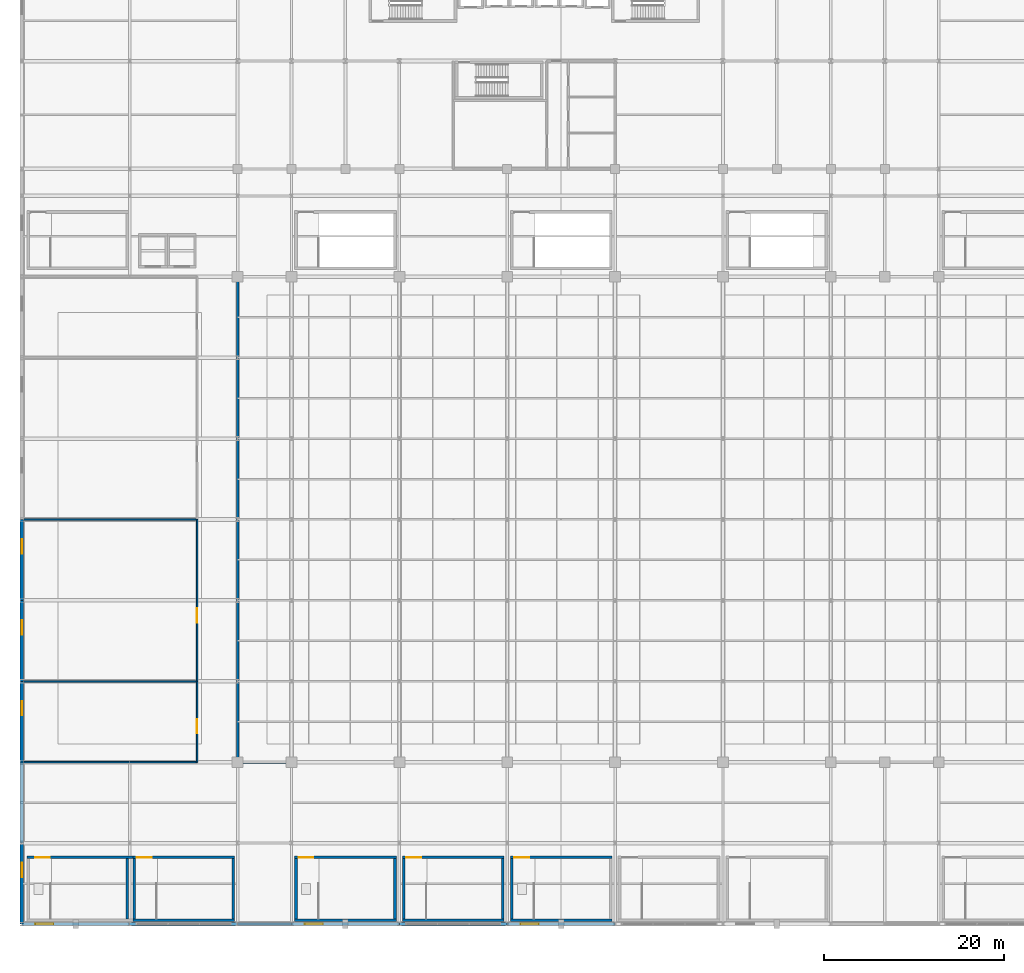
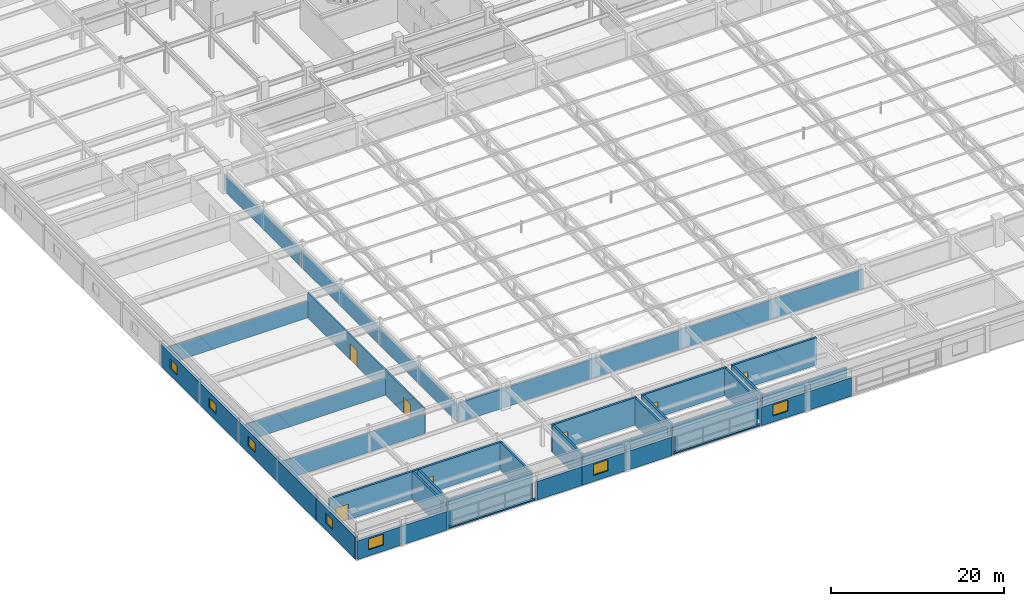
# One storey, part 89 of 108: 35 walls, 7 doors, 7 windows, 14 openings.
"""IFC4 building model written with IfcOpenShell, lengths in metres."""

from ifc_helpers import new_model, si_unit, direction, frame, frame_2d, origin, origin_with_axes, place, context, subcontext, project, spatial, rectangle, extrude, material, layer, layer_set, type_object, element, fill, save


model = new_model("IFC4")

# Units and contexts
model_context = context("Model", 3, precision=1e-05, world=origin(), true_north=direction((0.0, 1.0)))
body_context = subcontext(model_context, "Body", "Model", "MODEL_VIEW")
ifc_project = project(units=[si_unit("LENGTHUNIT", "METRE"), si_unit("AREAUNIT", "SQUARE_METRE"), si_unit("VOLUMEUNIT", "CUBIC_METRE"), si_unit("PLANEANGLEUNIT", "RADIAN"), si_unit("MASSUNIT", "GRAM", prefix="KILO")], contexts=[model_context])

# Site, building, storey
site_placement = place(None, origin())
site = spatial("IfcSite", under=ifc_project, at=site_placement, CompositionType="ELEMENT")
building_placement = place(site_placement, origin())
building = spatial("IfcBuilding", under=site, at=building_placement, Name="Kaldorvane Square Convention Centre", CompositionType="ELEMENT")
storey_placement = place(building_placement, frame((0.0, 0.0, 23.399993896484375)))
storey = spatial("IfcBuildingStorey", under=building, at=storey_placement, Name="L04", CompositionType="ELEMENT", Elevation=23.399993896484375)

# Walls
ifc_material_1 = material(Name="Reinforced Concrete Masonry Acoustic Partition", Category="masonry")
ifc_layer_1 = layer(ifc_material_1, 0.279998779296875)
ifc_layer_set_1 = layer_set([ifc_layer_1], Name="Reinforced Concrete Masonry Acoustic Partition")
wall_type_1 = type_object("IfcWallType", Name="WL-ACO-280", PredefinedType="PARTITIONING", material=ifc_layer_set_1)
wall_1_placement = place(storey_placement, frame((24.0, 18.0, 0.0), z_axis=(0.0, 0.0, 1.0), x_axis=(1.0, 0.0, 0.0)))
element("IfcWall", 1, at=wall_1_placement, inside=storey, type_object=wall_type_1, Name="Upper Hall Acoustic Enclosure BS (L04)", PredefinedType="PARTITIONING", context=body_context, shape_type="SweptSolid", body=[
    extrude(rectangle(XDim=54.0, YDim=0.279998779296875, at=frame_2d((27.0, 0.0))), origin(), (0.0, 0.0, 1.0), 2.7519989013671875),
])
wall_2_placement = place(storey_placement, frame((24.0, 72.0, 0.0), z_axis=(0.0, 0.0, 1.0), x_axis=(0.0, -1.0, 0.0)))
element("IfcWall", 2, at=wall_2_placement, inside=storey, type_object=wall_type_1, Name="Upper Hall Acoustic Enclosure BW (L04)", PredefinedType="PARTITIONING", context=body_context, shape_type="SweptSolid", body=[
    extrude(rectangle(XDim=54.0, YDim=0.279998779296875, at=frame_2d((27.0, 0.0))), origin(), (0.0, 0.0, 1.0), 2.3520050048828125),
])

# Wall, opening, window
ifc_material_2 = material(Name="Concrete f'c = 42 MPa (Normalweight)", Category="concrete")
ifc_layer_2 = layer(ifc_material_2, 0.3800048828125)
ifc_layer_set_2 = layer_set([ifc_layer_2], Name="Concrete f'c = 42 MPa (Normalweight)")
wall_type_2 = type_object("IfcWallType", Name="WL-EXT-380", PredefinedType="STANDARD", material=ifc_layer_set_2)
wall_3_placement = place(storey_placement, origin_with_axes())
wall_3 = element("IfcWall", 3, at=wall_3_placement, inside=storey, type_object=wall_type_2, Name="South Square Brutalist Facade Wall (L04)", PredefinedType="STANDARD", context=body_context, shape_type="SweptSolid", body=[
    extrude(rectangle(XDim=12.0, YDim=0.3800048828125, at=frame_2d((6.0, 0.0))), origin(), (0.0, 0.0, 1.0), 2.626007080078125),
])
opening_1_placement = place(wall_3_placement, frame((1.5, 0.0, 0.850006103515625)))
opening_1 = element("IfcOpeningElement", 4, at=opening_1_placement, cuts=wall_3, Name="Opening W-21", PredefinedType="OPENING", context=body_context, shape_type="SweptSolid", body=[
    extrude(rectangle(XDim=2.0, YDim=1.55999755859375, at=frame_2d((1.0, 0.779998779296875))), frame((0.0, 0.2050018310546875, 0.0), z_axis=(0.0, -1.0, 0.0), x_axis=(1.0, 0.0, 0.0)), (0.0, 0.0, 1.0), 0.410003662109375),
])
ifc_material_3 = material(Name="Anodized Aluminum and Low-E Insulated Glazing", Category="aluminium")
window_type_1 = type_object("IfcWindowType", Name="WN-POD-2000X1850", PartitioningType="DOUBLE_PANEL_VERTICAL", PredefinedType="WINDOW", material=ifc_material_3)
window_1_placement = place(opening_1_placement, origin())
window_1 = element("IfcWindow", 5, at=window_1_placement, inside=storey, type_object=window_type_1, Name="South Facade Window (L04)", OverallHeight=1.55999755859375, OverallWidth=2.0, PartitioningType="DOUBLE_PANEL_VERTICAL", PredefinedType="WINDOW", context=body_context, shape_type="SweptSolid", body=[
    extrude(rectangle(XDim=2.0, YDim=1.55999755859375, at=frame_2d((1.0, 0.779998779296875))), frame((0.0, 0.029998779296875, 0.0), z_axis=(0.0, -1.0, 0.0), x_axis=(1.0, 0.0, 0.0)), (0.0, 0.0, 1.0), 0.05999755859375),
])
fill(opening_1, window_1)

# Wall
wall_4_placement = place(storey_placement, frame((24.0, 0.0, 0.0), z_axis=(0.0, 0.0, 1.0), x_axis=(1.0, 0.0, 0.0)))
element("IfcWall", 6, at=wall_4_placement, inside=storey, type_object=wall_type_2, Name="South Square Brutalist Facade Wall (L04)", PredefinedType="STANDARD", context=body_context, shape_type="SweptSolid", body=[
    extrude(rectangle(XDim=6.0, YDim=0.3800048828125, at=frame_2d((3.0, 0.0))), origin(), (0.0, 0.0, 1.0), 2.626007080078125),
])

# Wall, opening, window
wall_5_placement = place(storey_placement, frame((30.0, 0.0, 0.0), z_axis=(0.0, 0.0, 1.0), x_axis=(1.0, 0.0, 0.0)))
wall_5 = element("IfcWall", 7, at=wall_5_placement, inside=storey, type_object=wall_type_2, Name="South Square Brutalist Facade Wall (L04)", PredefinedType="STANDARD", context=body_context, shape_type="SweptSolid", body=[
    extrude(rectangle(XDim=12.0, YDim=0.3800048828125, at=frame_2d((6.0, 0.0))), origin(), (0.0, 0.0, 1.0), 2.626007080078125),
])
opening_2_placement = place(wall_5_placement, frame((1.5, 0.0, 0.850006103515625)))
opening_2 = element("IfcOpeningElement", 8, at=opening_2_placement, cuts=wall_5, Name="Opening W-21", PredefinedType="OPENING", context=body_context, shape_type="SweptSolid", body=[
    extrude(rectangle(XDim=2.0, YDim=1.55999755859375, at=frame_2d((1.0, 0.779998779296875))), frame((0.0, 0.2050018310546875, 0.0), z_axis=(0.0, -1.0, 0.0), x_axis=(1.0, 0.0, 0.0)), (0.0, 0.0, 1.0), 0.410003662109375),
])
window_2_placement = place(opening_2_placement, origin())
window_2 = element("IfcWindow", 9, at=window_2_placement, inside=storey, type_object=window_type_1, Name="South Facade Window (L04)", OverallHeight=1.55999755859375, OverallWidth=2.0, PartitioningType="DOUBLE_PANEL_VERTICAL", PredefinedType="WINDOW", context=body_context, shape_type="SweptSolid", body=[
    extrude(rectangle(XDim=2.0, YDim=1.55999755859375, at=frame_2d((1.0, 0.779998779296875))), frame((0.0, 0.029998779296875, 0.0), z_axis=(0.0, -1.0, 0.0), x_axis=(1.0, 0.0, 0.0)), (0.0, 0.0, 1.0), 0.05999755859375),
])
fill(opening_2, window_2)

wall_6_placement = place(storey_placement, frame((54.0, 0.0, 0.0), z_axis=(0.0, 0.0, 1.0), x_axis=(1.0, 0.0, 0.0)))
wall_6 = element("IfcWall", 10, at=wall_6_placement, inside=storey, type_object=wall_type_2, Name="South Square Brutalist Facade Wall (L04)", PredefinedType="STANDARD", context=body_context, shape_type="SweptSolid", body=[
    extrude(rectangle(XDim=12.0, YDim=0.3800048828125, at=frame_2d((6.0, 0.0))), origin(), (0.0, 0.0, 1.0), 2.626007080078125),
])
opening_3_placement = place(wall_6_placement, frame((1.5, 0.0, 0.850006103515625)))
opening_3 = element("IfcOpeningElement", 11, at=opening_3_placement, cuts=wall_6, Name="Opening W-21", PredefinedType="OPENING", context=body_context, shape_type="SweptSolid", body=[
    extrude(rectangle(XDim=2.0, YDim=1.55999755859375, at=frame_2d((1.0, 0.779998779296875))), frame((0.0, 0.2050018310546875, 0.0), z_axis=(0.0, -1.0, 0.0), x_axis=(1.0, 0.0, 0.0)), (0.0, 0.0, 1.0), 0.410003662109375),
])
window_3_placement = place(opening_3_placement, origin())
window_3 = element("IfcWindow", 12, at=window_3_placement, inside=storey, type_object=window_type_1, Name="South Facade Window (L04)", OverallHeight=1.55999755859375, OverallWidth=2.0, PartitioningType="DOUBLE_PANEL_VERTICAL", PredefinedType="WINDOW", context=body_context, shape_type="SweptSolid", body=[
    extrude(rectangle(XDim=2.0, YDim=1.55999755859375, at=frame_2d((1.0, 0.779998779296875))), frame((0.0, 0.029998779296875, 0.0), z_axis=(0.0, -1.0, 0.0), x_axis=(1.0, 0.0, 0.0)), (0.0, 0.0, 1.0), 0.05999755859375),
])
fill(opening_3, window_3)

wall_7_placement = place(storey_placement, frame((0.0, 9.0, 0.0), z_axis=(0.0, 0.0, 1.0), x_axis=(0.0, -1.0, 0.0)))
wall_7 = element("IfcWall", 13, at=wall_7_placement, inside=storey, type_object=wall_type_2, Name="West Brutalist Facade Wall (L04)", PredefinedType="STANDARD", context=body_context, shape_type="SweptSolid", body=[
    extrude(rectangle(XDim=9.0, YDim=0.3800048828125, at=frame_2d((4.5, 0.0))), origin(), (0.0, 0.0, 1.0), 3.1190032958984375),
])
opening_4_placement = place(wall_7_placement, frame((2.1999969482421875, 0.0, 1.0)))
opening_4 = element("IfcOpeningElement", 14, at=opening_4_placement, cuts=wall_7, Name="Opening W-23", PredefinedType="OPENING", context=body_context, shape_type="SweptSolid", body=[
    extrude(rectangle(XDim=1.600006103515625, YDim=1.3600006103515625, at=frame_2d((0.8000030517578125, 0.67999267578125))), frame((0.0, 0.2050018310546875, 0.0), z_axis=(0.0, -1.0, 0.0), x_axis=(1.0, 0.0, 0.0)), (0.0, 0.0, 1.0), 0.410003662109375),
])
window_type_2 = type_object("IfcWindowType", Name="WN-POD-1600X1650", PartitioningType="SINGLE_PANEL", PredefinedType="WINDOW", material=ifc_material_3)
window_4_placement = place(opening_4_placement, origin())
window_4 = element("IfcWindow", 15, at=window_4_placement, inside=storey, type_object=window_type_2, Name="West Facade Window (L04)", OverallHeight=1.3600006103515625, OverallWidth=1.600006103515625, PartitioningType="SINGLE_PANEL", PredefinedType="WINDOW", context=body_context, shape_type="SweptSolid", body=[
    extrude(rectangle(XDim=1.600006103515625, YDim=1.3600006103515625, at=frame_2d((0.8000030517578125, 0.67999267578125))), frame((0.0, 0.029998779296875, 0.0), z_axis=(0.0, -1.0, 0.0), x_axis=(1.0, 0.0, 0.0)), (0.0, 0.0, 1.0), 0.05999755859375),
])
fill(opening_4, window_4)

# Wall
wall_8_placement = place(storey_placement, frame((0.0, 18.0, 0.0), z_axis=(0.0, 0.0, 1.0), x_axis=(0.0, -1.0, 0.0)))
element("IfcWall", 16, at=wall_8_placement, inside=storey, type_object=wall_type_2, Name="West Brutalist Facade Wall (L04)", PredefinedType="STANDARD", context=body_context, shape_type="SweptSolid", body=[
    extrude(rectangle(XDim=9.0, YDim=0.3800048828125, at=frame_2d((4.5, 0.0))), origin(), (0.0, 0.0, 1.0), 3.1190032958984375),
])

# Wall, opening, window
wall_9_placement = place(storey_placement, frame((0.0, 27.0, 0.0), z_axis=(0.0, 0.0, 1.0), x_axis=(0.0, -1.0, 0.0)))
wall_9 = element("IfcWall", 17, at=wall_9_placement, inside=storey, type_object=wall_type_2, Name="West Brutalist Facade Wall (L04)", PredefinedType="STANDARD", context=body_context, shape_type="SweptSolid", body=[
    extrude(rectangle(XDim=9.0, YDim=0.3800048828125, at=frame_2d((4.5, 0.0))), origin(), (0.0, 0.0, 1.0), 3.1190032958984375),
])
opening_5_placement = place(wall_9_placement, frame((2.1999969482421875, 0.0, 1.0)))
opening_5 = element("IfcOpeningElement", 18, at=opening_5_placement, cuts=wall_9, Name="Opening W-23", PredefinedType="OPENING", context=body_context, shape_type="SweptSolid", body=[
    extrude(rectangle(XDim=1.600006103515625, YDim=1.3600006103515625, at=frame_2d((0.8000030517578125, 0.67999267578125))), frame((0.0, 0.2050018310546875, 0.0), z_axis=(0.0, -1.0, 0.0), x_axis=(1.0, 0.0, 0.0)), (0.0, 0.0, 1.0), 0.410003662109375),
])
window_5_placement = place(opening_5_placement, origin())
window_5 = element("IfcWindow", 19, at=window_5_placement, inside=storey, type_object=window_type_2, Name="West Facade Window (L04)", OverallHeight=1.3600006103515625, OverallWidth=1.600006103515625, PartitioningType="SINGLE_PANEL", PredefinedType="WINDOW", context=body_context, shape_type="SweptSolid", body=[
    extrude(rectangle(XDim=1.600006103515625, YDim=1.3600006103515625, at=frame_2d((0.8000030517578125, 0.67999267578125))), frame((0.0, 0.029998779296875, 0.0), z_axis=(0.0, -1.0, 0.0), x_axis=(1.0, 0.0, 0.0)), (0.0, 0.0, 1.0), 0.05999755859375),
])
fill(opening_5, window_5)

wall_10_placement = place(storey_placement, frame((0.0, 36.0, 0.0), z_axis=(0.0, 0.0, 1.0), x_axis=(0.0, -1.0, 0.0)))
wall_10 = element("IfcWall", 20, at=wall_10_placement, inside=storey, type_object=wall_type_2, Name="West Brutalist Facade Wall (L04)", PredefinedType="STANDARD", context=body_context, shape_type="SweptSolid", body=[
    extrude(rectangle(XDim=9.0, YDim=0.3800048828125, at=frame_2d((4.5, 0.0))), origin(), (0.0, 0.0, 1.0), 3.1190032958984375),
])
opening_6_placement = place(wall_10_placement, frame((2.1999969482421875, 0.0, 1.0)))
opening_6 = element("IfcOpeningElement", 21, at=opening_6_placement, cuts=wall_10, Name="Opening W-23", PredefinedType="OPENING", context=body_context, shape_type="SweptSolid", body=[
    extrude(rectangle(XDim=1.600006103515625, YDim=1.3600006103515625, at=frame_2d((0.8000030517578125, 0.67999267578125))), frame((0.0, 0.2050018310546875, 0.0), z_axis=(0.0, -1.0, 0.0), x_axis=(1.0, 0.0, 0.0)), (0.0, 0.0, 1.0), 0.410003662109375),
])
window_6_placement = place(opening_6_placement, origin())
window_6 = element("IfcWindow", 22, at=window_6_placement, inside=storey, type_object=window_type_2, Name="West Facade Window (L04)", OverallHeight=1.3600006103515625, OverallWidth=1.600006103515625, PartitioningType="SINGLE_PANEL", PredefinedType="WINDOW", context=body_context, shape_type="SweptSolid", body=[
    extrude(rectangle(XDim=1.600006103515625, YDim=1.3600006103515625, at=frame_2d((0.8000030517578125, 0.67999267578125))), frame((0.0, 0.029998779296875, 0.0), z_axis=(0.0, -1.0, 0.0), x_axis=(1.0, 0.0, 0.0)), (0.0, 0.0, 1.0), 0.05999755859375),
])
fill(opening_6, window_6)

wall_11_placement = place(storey_placement, frame((0.0, 45.0, 0.0), z_axis=(0.0, 0.0, 1.0), x_axis=(0.0, -1.0, 0.0)))
wall_11 = element("IfcWall", 23, at=wall_11_placement, inside=storey, type_object=wall_type_2, Name="West Brutalist Facade Wall (L04)", PredefinedType="STANDARD", context=body_context, shape_type="SweptSolid", body=[
    extrude(rectangle(XDim=9.0, YDim=0.3800048828125, at=frame_2d((4.5, 0.0))), origin(), (0.0, 0.0, 1.0), 3.1190032958984375),
])
opening_7_placement = place(wall_11_placement, frame((2.1999969482421875, 0.0, 1.0)))
opening_7 = element("IfcOpeningElement", 24, at=opening_7_placement, cuts=wall_11, Name="Opening W-23", PredefinedType="OPENING", context=body_context, shape_type="SweptSolid", body=[
    extrude(rectangle(XDim=1.600006103515625, YDim=1.3600006103515625, at=frame_2d((0.8000030517578125, 0.67999267578125))), frame((0.0, 0.2050018310546875, 0.0), z_axis=(0.0, -1.0, 0.0), x_axis=(1.0, 0.0, 0.0)), (0.0, 0.0, 1.0), 0.410003662109375),
])
window_7_placement = place(opening_7_placement, origin())
window_7 = element("IfcWindow", 25, at=window_7_placement, inside=storey, type_object=window_type_2, Name="West Facade Window (L04)", OverallHeight=1.3600006103515625, OverallWidth=1.600006103515625, PartitioningType="SINGLE_PANEL", PredefinedType="WINDOW", context=body_context, shape_type="SweptSolid", body=[
    extrude(rectangle(XDim=1.600006103515625, YDim=1.3600006103515625, at=frame_2d((0.8000030517578125, 0.67999267578125))), frame((0.0, 0.029998779296875, 0.0), z_axis=(0.0, -1.0, 0.0), x_axis=(1.0, 0.0, 0.0)), (0.0, 0.0, 1.0), 0.05999755859375),
])
fill(opening_7, window_7)

# Walls
ifc_material_4 = material(Name="Concrete f'c = 35 MPa (Normalweight)", Category="concrete")
ifc_layer_3 = layer(ifc_material_4, 0.279998779296875)
ifc_layer_set_3 = layer_set([ifc_layer_3], Name="Concrete f'c = 35 MPa (Normalweight)")
wall_type_3 = type_object("IfcWallType", Name="WL-PAR-280", PredefinedType="PARAPET", material=ifc_layer_set_3)
for number, where, z_axis, x_axis, name in (
    (26, (12.0, 0.0, 0.0), (0.0, 0.0, 1.0), (1.0, 0.0, 0.0), "Curtain-Wall Sill Kerb (L04)"),
    (27, (42.0, 0.0, 0.0), (0.0, 0.0, 1.0), (1.0, 0.0, 0.0), "Curtain-Wall Sill Kerb (L04)"),
):
    element("IfcWall", number, at=place(storey_placement, frame(where, z_axis=z_axis, x_axis=x_axis)), inside=storey, type_object=wall_type_3, Name=name, PredefinedType="PARAPET", context=body_context, shape_type="SweptSolid", body=[
        extrude(rectangle(XDim=12.0, YDim=0.279998779296875, at=frame_2d((6.0, 0.0))), origin(), (0.0, 0.0, 1.0), 0.20001220703125),
    ])
ifc_material_5 = material(Name="Fire-Rated Gypsum Board on Acoustic Steel Studs", Category="steel")
ifc_layer_4 = layer(ifc_material_5, 0.1649932861328125)
ifc_layer_set_4 = layer_set([ifc_layer_4], Name="Fire-Rated Gypsum Board on Acoustic Steel Studs")
wall_type_4 = type_object("IfcWallType", Name="WL-PART-165", PredefinedType="PARTITIONING", material=ifc_layer_set_4)
wall_12_placement = place(storey_placement, frame((0.19000244140625, 18.0, 0.0), z_axis=(0.0, 0.0, 1.0), x_axis=(1.0, 0.0, 0.0)))
element("IfcWall", 28, at=wall_12_placement, inside=storey, type_object=wall_type_4, Name="Meeting Room 401 S Wall", PredefinedType="PARTITIONING", context=body_context, shape_type="SweptSolid", body=[
    extrude(rectangle(XDim=19.30999755859375, YDim=0.1649932861328125, at=frame_2d((9.654998779296875, 0.0))), origin(), (0.0, 0.0, 1.0), 2.7519989013671875),
])

# Wall, opening, door
wall_13_placement = place(storey_placement, frame((19.5, 18.0, 0.0), z_axis=(0.0, 0.0, 1.0), x_axis=(0.0, 1.0, 0.0)))
wall_13 = element("IfcWall", 29, at=wall_13_placement, inside=storey, type_object=wall_type_4, Name="Meeting Room 401 E Wall", PredefinedType="PARTITIONING", context=body_context, shape_type="SweptSolid", body=[
    extrude(rectangle(XDim=9.0, YDim=0.1649932861328125, at=frame_2d((4.5, 0.0))), origin(), (0.0, 0.0, 1.0), 3.529998779296875),
])
opening_8_placement = place(wall_13_placement, frame((3.1999969482421875, 0.0, 0.0)))
opening_8 = element("IfcOpeningElement", 30, at=opening_8_placement, cuts=wall_13, Name="Opening ID-07", PredefinedType="OPENING", context=body_context, shape_type="SweptSolid", body=[
    extrude(rectangle(XDim=1.600006103515625, YDim=2.25, at=frame_2d((0.8000030517578125, 1.125))), frame((0.0, 0.097503662109375, 0.0), z_axis=(0.0, -1.0, 0.0), x_axis=(1.0, 0.0, 0.0)), (0.0, 0.0, 1.0), 0.1949920654296875),
])
ifc_material_6 = material(Name="Architectural Solid-Core White Oak")
door_type_1 = type_object("IfcDoorType", Name="DR-MEET-1600X2250", OperationType="DOUBLE_DOOR_SINGLE_SWING", PredefinedType="DOOR", material=ifc_material_6)
door_1_placement = place(opening_8_placement, origin())
door_1 = element("IfcDoor", 31, at=door_1_placement, inside=storey, type_object=door_type_1, Name="Meeting Room 401 Door 1", OperationType="DOUBLE_DOOR_SINGLE_SWING", OverallHeight=2.25, OverallWidth=1.600006103515625, PredefinedType="DOOR", context=body_context, shape_type="SweptSolid", body=[
    extrude(rectangle(XDim=1.600006103515625, YDim=2.25, at=frame_2d((0.8000030517578125, 1.125))), frame((0.0, 0.024993896484375, 0.0), z_axis=(0.0, -1.0, 0.0), x_axis=(1.0, 0.0, 0.0)), (0.0, 0.0, 1.0), 0.0500030517578125),
])
fill(opening_8, door_1)

# Wall
wall_14_placement = place(storey_placement, frame((19.5, 27.0, 0.0), z_axis=(0.0, 0.0, 1.0), x_axis=(-1.0, 0.0, 0.0)))
element("IfcWall", 32, at=wall_14_placement, inside=storey, type_object=wall_type_4, Name="Meeting Room 401 N Wall", PredefinedType="PARTITIONING", context=body_context, shape_type="SweptSolid", body=[
    extrude(rectangle(XDim=19.30999755859375, YDim=0.1649932861328125, at=frame_2d((9.654998779296875, 0.0))), origin(), (0.0, 0.0, 1.0), 2.4080047607421875),
])

# Wall, opening, door
wall_15_placement = place(storey_placement, frame((19.5, 27.0, 0.0), z_axis=(0.0, 0.0, 1.0), x_axis=(0.0, 1.0, 0.0)))
wall_15 = element("IfcWall", 33, at=wall_15_placement, inside=storey, type_object=wall_type_4, Name="Meeting Room 402 E Wall", PredefinedType="PARTITIONING", context=body_context, shape_type="SweptSolid", body=[
    extrude(rectangle(XDim=18.0, YDim=0.1649932861328125, at=frame_2d((9.0, 0.0))), origin(), (0.0, 0.0, 1.0), 3.529998779296875),
])
opening_9_placement = place(wall_15_placement, frame((6.5, 0.0, 0.0)))
opening_9 = element("IfcOpeningElement", 34, at=opening_9_placement, cuts=wall_15, Name="Opening ID-07", PredefinedType="OPENING", context=body_context, shape_type="SweptSolid", body=[
    extrude(rectangle(XDim=1.600006103515625, YDim=2.25, at=frame_2d((0.8000030517578125, 1.125))), frame((0.0, 0.097503662109375, 0.0), z_axis=(0.0, -1.0, 0.0), x_axis=(1.0, 0.0, 0.0)), (0.0, 0.0, 1.0), 0.1949920654296875),
])
door_2_placement = place(opening_9_placement, origin())
door_2 = element("IfcDoor", 35, at=door_2_placement, inside=storey, type_object=door_type_1, Name="Meeting Room 402 Door 1", OperationType="DOUBLE_DOOR_SINGLE_SWING", OverallHeight=2.25, OverallWidth=1.600006103515625, PredefinedType="DOOR", context=body_context, shape_type="SweptSolid", body=[
    extrude(rectangle(XDim=1.600006103515625, YDim=2.25, at=frame_2d((0.8000030517578125, 1.125))), frame((0.0, 0.024993896484375, 0.0), z_axis=(0.0, -1.0, 0.0), x_axis=(1.0, 0.0, 0.0)), (0.0, 0.0, 1.0), 0.0500030517578125),
])
fill(opening_9, door_2)

# Wall
wall_16_placement = place(storey_placement, frame((19.5, 45.0, 0.0), z_axis=(0.0, 0.0, 1.0), x_axis=(-1.0, 0.0, 0.0)))
element("IfcWall", 36, at=wall_16_placement, inside=storey, type_object=wall_type_4, Name="Meeting Room 402 N Wall", PredefinedType="PARTITIONING", context=body_context, shape_type="SweptSolid", body=[
    extrude(rectangle(XDim=19.30999755859375, YDim=0.1649932861328125, at=frame_2d((9.654998779296875, 0.0))), origin(), (0.0, 0.0, 1.0), 2.4080047607421875),
])

# Wall, opening, door
ifc_material_7 = material(Name="Concrete f'c = 55 MPa (Normalweight)", Category="concrete")
ifc_layer_5 = layer(ifc_material_7, 0.3000030517578125)
ifc_layer_set_5 = layer_set([ifc_layer_5], Name="Concrete f'c = 55 MPa (Normalweight)")
wall_type_5 = type_object("IfcWallType", Name="WL-SHAFT-300", PredefinedType="SHEAR", material=ifc_layer_set_5)
wall_17_placement = place(storey_placement, frame((12.339996337890625, 7.410003662109375, 0.0), z_axis=(0.0, 0.0, 1.0), x_axis=(-1.0, 0.0, 0.0)))
wall_17 = element("IfcWall", 37, at=wall_17_placement, inside=storey, type_object=wall_type_5, Name="Core Enclosure Wall stair:ST-C1-N (L04)", PredefinedType="SHEAR", context=body_context, shape_type="SweptSolid", body=[
    extrude(rectangle(XDim=11.779998779296875, YDim=0.3000030517578125, at=frame_2d((5.8899993896484375, 0.0))), origin(), (0.0, 0.0, 1.0), 3.850006103515625),
])
opening_10_placement = place(wall_17_placement, frame((9.220001220703125, 0.0, 0.0)))
opening_10 = element("IfcOpeningElement", 38, at=opening_10_placement, cuts=wall_17, Name="Opening FD90-S2", PredefinedType="OPENING", context=body_context, shape_type="SweptSolid", body=[
    extrude(rectangle(XDim=1.649993896484375, YDim=2.25, at=frame_2d((0.8249969482421875, 1.125))), frame((0.0, 0.165008544921875, 0.0), z_axis=(0.0, -1.0, 0.0), x_axis=(1.0, 0.0, 0.0)), (0.0, 0.0, 1.0), 0.3300018310546875),
])
ifc_material_8 = material(Name="Fire-Rated Hollow Metal Steel", Category="steel")
door_type_2 = type_object("IfcDoorType", Name="DR-STAIR-1650", OperationType="DOUBLE_DOOR_SINGLE_SWING", PredefinedType="DOOR", material=ifc_material_8)
door_3_placement = place(opening_10_placement, origin())
door_3 = element("IfcDoor", 39, at=door_3_placement, inside=storey, type_object=door_type_2, Name="Convention Exit Stair C1 Fire Door (L04)", OperationType="DOUBLE_DOOR_SINGLE_SWING", OverallHeight=2.25, OverallWidth=1.649993896484375, PredefinedType="DOOR", context=body_context, shape_type="SweptSolid", body=[
    extrude(rectangle(XDim=1.649993896484375, YDim=2.25, at=frame_2d((0.8249969482421875, 1.125))), frame((0.0, 0.024993896484375, 0.0), z_axis=(0.0, -1.0, 0.0), x_axis=(1.0, 0.0, 0.0)), (0.0, 0.0, 1.0), 0.0500030517578125),
])
fill(opening_10, door_3)

# Walls
wall_18_placement = place(storey_placement, frame((11.729995727539062, 0.5500030517578125, 0.0), z_axis=(0.0, 0.0, 1.0), x_axis=(0.0, 1.0, 0.0)))
element("IfcWall", 40, at=wall_18_placement, inside=storey, type_object=wall_type_5, Name="Core Enclosure Wall stair:ST-C1-E (L04)", PredefinedType="SHEAR", context=body_context, shape_type="SweptSolid", body=[
    extrude(rectangle(XDim=6.709991455078125, YDim=0.3000030517578125, at=frame_2d((3.3549957275390625, 0.0))), origin(), (0.0, 0.0, 1.0), 3.850006103515625),
])
wall_19_placement = place(storey_placement, frame((23.660003662109375, 0.399993896484375, 0.0), z_axis=(0.0, 0.0, 1.0), x_axis=(-1.0, 0.0, 0.0)))
element("IfcWall", 41, at=wall_19_placement, inside=storey, type_object=wall_type_5, Name="Core Enclosure Wall stair:ST-C2-S (L04)", PredefinedType="SHEAR", context=body_context, shape_type="SweptSolid", body=[
    extrude(rectangle(XDim=11.32000732421875, YDim=0.3000030517578125, at=frame_2d((5.660003662109375, 0.0))), origin(), (0.0, 0.0, 1.0), 3.850006103515625),
])

# Wall, opening, door
wall_20_placement = place(storey_placement, frame((23.660003662109375, 7.410003662109375, 0.0), z_axis=(0.0, 0.0, 1.0), x_axis=(-1.0, 0.0, 0.0)))
wall_20 = element("IfcWall", 42, at=wall_20_placement, inside=storey, type_object=wall_type_5, Name="Core Enclosure Wall stair:ST-C2-N (L04)", PredefinedType="SHEAR", context=body_context, shape_type="SweptSolid", body=[
    extrude(rectangle(XDim=11.32000732421875, YDim=0.3000030517578125, at=frame_2d((5.660003662109375, 0.0))), origin(), (0.0, 0.0, 1.0), 3.850006103515625),
])
opening_11_placement = place(wall_20_placement, frame((9.220001220703125, 0.0, 0.0)))
opening_11 = element("IfcOpeningElement", 43, at=opening_11_placement, cuts=wall_20, Name="Opening FD90-S2", PredefinedType="OPENING", context=body_context, shape_type="SweptSolid", body=[
    extrude(rectangle(XDim=1.649993896484375, YDim=2.25, at=frame_2d((0.8249969482421875, 1.125))), frame((0.0, 0.165008544921875, 0.0), z_axis=(0.0, -1.0, 0.0), x_axis=(1.0, 0.0, 0.0)), (0.0, 0.0, 1.0), 0.3300018310546875),
])
door_4_placement = place(opening_11_placement, origin())
door_4 = element("IfcDoor", 44, at=door_4_placement, inside=storey, type_object=door_type_2, Name="Convention Exit Stair C2 Fire Door (L04)", OperationType="DOUBLE_DOOR_SINGLE_SWING", OverallHeight=2.25, OverallWidth=1.649993896484375, PredefinedType="DOOR", context=body_context, shape_type="SweptSolid", body=[
    extrude(rectangle(XDim=1.649993896484375, YDim=2.25, at=frame_2d((0.8249969482421875, 1.125))), frame((0.0, 0.024993896484375, 0.0), z_axis=(0.0, -1.0, 0.0), x_axis=(1.0, 0.0, 0.0)), (0.0, 0.0, 1.0), 0.0500030517578125),
])
fill(opening_11, door_4)

# Walls
for number, where, z_axis, x_axis, name in (
    (45, (12.490005493164062, 7.2599945068359375, 0.0), (0.0, 0.0, 1.0), (0.0, -1.0, 0.0), "Core Enclosure Wall stair:ST-C2-W (L04)"),
    (46, (23.509994506835938, 0.5500030517578125, 0.0), (0.0, 0.0, 1.0), (0.0, 1.0, 0.0), "Core Enclosure Wall stair:ST-C2-E (L04)"),
):
    element("IfcWall", number, at=place(storey_placement, frame(where, z_axis=z_axis, x_axis=x_axis)), inside=storey, type_object=wall_type_5, Name=name, PredefinedType="SHEAR", context=body_context, shape_type="SweptSolid", body=[
        extrude(rectangle(XDim=6.709991455078125, YDim=0.3000030517578125, at=frame_2d((3.3549957275390625, 0.0))), origin(), (0.0, 0.0, 1.0), 3.850006103515625),
    ])
wall_21_placement = place(storey_placement, frame((41.660003662109375, 0.399993896484375, 0.0), z_axis=(0.0, 0.0, 1.0), x_axis=(-1.0, 0.0, 0.0)))
element("IfcWall", 47, at=wall_21_placement, inside=storey, type_object=wall_type_5, Name="Core Enclosure Wall stair:ST-C3-S (L04)", PredefinedType="SHEAR", context=body_context, shape_type="SweptSolid", body=[
    extrude(rectangle(XDim=11.32000732421875, YDim=0.3000030517578125, at=frame_2d((5.660003662109375, 0.0))), origin(), (0.0, 0.0, 1.0), 3.850006103515625),
])

# Wall, opening, door
wall_22_placement = place(storey_placement, frame((41.660003662109375, 7.410003662109375, 0.0), z_axis=(0.0, 0.0, 1.0), x_axis=(-1.0, 0.0, 0.0)))
wall_22 = element("IfcWall", 48, at=wall_22_placement, inside=storey, type_object=wall_type_5, Name="Core Enclosure Wall stair:ST-C3-N (L04)", PredefinedType="SHEAR", context=body_context, shape_type="SweptSolid", body=[
    extrude(rectangle(XDim=11.32000732421875, YDim=0.3000030517578125, at=frame_2d((5.660003662109375, 0.0))), origin(), (0.0, 0.0, 1.0), 3.850006103515625),
])
opening_12_placement = place(wall_22_placement, frame((9.220001220703125, 0.0, 0.0)))
opening_12 = element("IfcOpeningElement", 49, at=opening_12_placement, cuts=wall_22, Name="Opening FD90-S2", PredefinedType="OPENING", context=body_context, shape_type="SweptSolid", body=[
    extrude(rectangle(XDim=1.649993896484375, YDim=2.25, at=frame_2d((0.8249969482421875, 1.125))), frame((0.0, 0.165008544921875, 0.0), z_axis=(0.0, -1.0, 0.0), x_axis=(1.0, 0.0, 0.0)), (0.0, 0.0, 1.0), 0.3300018310546875),
])
door_5_placement = place(opening_12_placement, origin())
door_5 = element("IfcDoor", 50, at=door_5_placement, inside=storey, type_object=door_type_2, Name="Convention Exit Stair C3 Fire Door (L04)", OperationType="DOUBLE_DOOR_SINGLE_SWING", OverallHeight=2.25, OverallWidth=1.649993896484375, PredefinedType="DOOR", context=body_context, shape_type="SweptSolid", body=[
    extrude(rectangle(XDim=1.649993896484375, YDim=2.25, at=frame_2d((0.8249969482421875, 1.125))), frame((0.0, 0.024993896484375, 0.0), z_axis=(0.0, -1.0, 0.0), x_axis=(1.0, 0.0, 0.0)), (0.0, 0.0, 1.0), 0.0500030517578125),
])
fill(opening_12, door_5)

# Walls
for number, where, z_axis, x_axis, name in (
    (51, (30.490005493164062, 7.2599945068359375, 0.0), (0.0, 0.0, 1.0), (0.0, -1.0, 0.0), "Core Enclosure Wall stair:ST-C3-W (L04)"),
    (52, (41.50999450683594, 0.5500030517578125, 0.0), (0.0, 0.0, 1.0), (0.0, 1.0, 0.0), "Core Enclosure Wall stair:ST-C3-E (L04)"),
):
    element("IfcWall", number, at=place(storey_placement, frame(where, z_axis=z_axis, x_axis=x_axis)), inside=storey, type_object=wall_type_5, Name=name, PredefinedType="SHEAR", context=body_context, shape_type="SweptSolid", body=[
        extrude(rectangle(XDim=6.709991455078125, YDim=0.3000030517578125, at=frame_2d((3.3549957275390625, 0.0))), origin(), (0.0, 0.0, 1.0), 3.850006103515625),
    ])
wall_23_placement = place(storey_placement, frame((53.660003662109375, 0.399993896484375, 0.0), z_axis=(0.0, 0.0, 1.0), x_axis=(-1.0, 0.0, 0.0)))
element("IfcWall", 53, at=wall_23_placement, inside=storey, type_object=wall_type_5, Name="Core Enclosure Wall stair:ST-C4-S (L04)", PredefinedType="SHEAR", context=body_context, shape_type="SweptSolid", body=[
    extrude(rectangle(XDim=11.32000732421875, YDim=0.3000030517578125, at=frame_2d((5.660003662109375, 0.0))), origin(), (0.0, 0.0, 1.0), 3.850006103515625),
])

# Wall, opening, door
wall_24_placement = place(storey_placement, frame((53.660003662109375, 7.410003662109375, 0.0), z_axis=(0.0, 0.0, 1.0), x_axis=(-1.0, 0.0, 0.0)))
wall_24 = element("IfcWall", 54, at=wall_24_placement, inside=storey, type_object=wall_type_5, Name="Core Enclosure Wall stair:ST-C4-N (L04)", PredefinedType="SHEAR", context=body_context, shape_type="SweptSolid", body=[
    extrude(rectangle(XDim=11.32000732421875, YDim=0.3000030517578125, at=frame_2d((5.660003662109375, 0.0))), origin(), (0.0, 0.0, 1.0), 3.850006103515625),
])
opening_13_placement = place(wall_24_placement, frame((9.220001220703125, 0.0, 0.0)))
opening_13 = element("IfcOpeningElement", 55, at=opening_13_placement, cuts=wall_24, Name="Opening FD90-S2", PredefinedType="OPENING", context=body_context, shape_type="SweptSolid", body=[
    extrude(rectangle(XDim=1.649993896484375, YDim=2.25, at=frame_2d((0.8249969482421875, 1.125))), frame((0.0, 0.165008544921875, 0.0), z_axis=(0.0, -1.0, 0.0), x_axis=(1.0, 0.0, 0.0)), (0.0, 0.0, 1.0), 0.3300018310546875),
])
door_6_placement = place(opening_13_placement, origin())
door_6 = element("IfcDoor", 56, at=door_6_placement, inside=storey, type_object=door_type_2, Name="Convention Exit Stair C4 Fire Door (L04)", OperationType="DOUBLE_DOOR_SINGLE_SWING", OverallHeight=2.25, OverallWidth=1.649993896484375, PredefinedType="DOOR", context=body_context, shape_type="SweptSolid", body=[
    extrude(rectangle(XDim=1.649993896484375, YDim=2.25, at=frame_2d((0.8249969482421875, 1.125))), frame((0.0, 0.024993896484375, 0.0), z_axis=(0.0, -1.0, 0.0), x_axis=(1.0, 0.0, 0.0)), (0.0, 0.0, 1.0), 0.0500030517578125),
])
fill(opening_13, door_6)

# Walls
for number, where, z_axis, x_axis, name in (
    (57, (42.49000549316406, 7.2599945068359375, 0.0), (0.0, 0.0, 1.0), (0.0, -1.0, 0.0), "Core Enclosure Wall stair:ST-C4-W (L04)"),
    (58, (53.50999450683594, 0.5500030517578125, 0.0), (0.0, 0.0, 1.0), (0.0, 1.0, 0.0), "Core Enclosure Wall stair:ST-C4-E (L04)"),
):
    element("IfcWall", number, at=place(storey_placement, frame(where, z_axis=z_axis, x_axis=x_axis)), inside=storey, type_object=wall_type_5, Name=name, PredefinedType="SHEAR", context=body_context, shape_type="SweptSolid", body=[
        extrude(rectangle(XDim=6.709991455078125, YDim=0.3000030517578125, at=frame_2d((3.3549957275390625, 0.0))), origin(), (0.0, 0.0, 1.0), 3.850006103515625),
    ])
wall_25_placement = place(storey_placement, frame((65.66000366210938, 0.399993896484375, 0.0), z_axis=(0.0, 0.0, 1.0), x_axis=(-1.0, 0.0, 0.0)))
element("IfcWall", 59, at=wall_25_placement, inside=storey, type_object=wall_type_5, Name="Core Enclosure Wall stair:ST-C5-S (L04)", PredefinedType="SHEAR", context=body_context, shape_type="SweptSolid", body=[
    extrude(rectangle(XDim=11.32000732421875, YDim=0.3000030517578125, at=frame_2d((5.660003662109375, 0.0))), origin(), (0.0, 0.0, 1.0), 3.850006103515625),
])

# Wall, opening, door
wall_26_placement = place(storey_placement, frame((65.66000366210938, 7.410003662109375, 0.0), z_axis=(0.0, 0.0, 1.0), x_axis=(-1.0, 0.0, 0.0)))
wall_26 = element("IfcWall", 60, at=wall_26_placement, inside=storey, type_object=wall_type_5, Name="Core Enclosure Wall stair:ST-C5-N (L04)", PredefinedType="SHEAR", context=body_context, shape_type="SweptSolid", body=[
    extrude(rectangle(XDim=11.32000732421875, YDim=0.3000030517578125, at=frame_2d((5.660003662109375, 0.0))), origin(), (0.0, 0.0, 1.0), 3.850006103515625),
])
opening_14_placement = place(wall_26_placement, frame((9.220001220703125, 0.0, 0.0)))
opening_14 = element("IfcOpeningElement", 61, at=opening_14_placement, cuts=wall_26, Name="Opening FD90-S2", PredefinedType="OPENING", context=body_context, shape_type="SweptSolid", body=[
    extrude(rectangle(XDim=1.649993896484375, YDim=2.25, at=frame_2d((0.8249969482421875, 1.125))), frame((0.0, 0.165008544921875, 0.0), z_axis=(0.0, -1.0, 0.0), x_axis=(1.0, 0.0, 0.0)), (0.0, 0.0, 1.0), 0.3300018310546875),
])
door_7_placement = place(opening_14_placement, origin())
door_7 = element("IfcDoor", 62, at=door_7_placement, inside=storey, type_object=door_type_2, Name="Convention Exit Stair C5 Fire Door (L04)", OperationType="DOUBLE_DOOR_SINGLE_SWING", OverallHeight=2.25, OverallWidth=1.649993896484375, PredefinedType="DOOR", context=body_context, shape_type="SweptSolid", body=[
    extrude(rectangle(XDim=1.649993896484375, YDim=2.25, at=frame_2d((0.8249969482421875, 1.125))), frame((0.0, 0.024993896484375, 0.0), z_axis=(0.0, -1.0, 0.0), x_axis=(1.0, 0.0, 0.0)), (0.0, 0.0, 1.0), 0.0500030517578125),
])
fill(opening_14, door_7)

# Wall
wall_27_placement = place(storey_placement, frame((54.49000549316406, 7.2599945068359375, 0.0), z_axis=(0.0, 0.0, 1.0), x_axis=(0.0, -1.0, 0.0)))
element("IfcWall", 63, at=wall_27_placement, inside=storey, type_object=wall_type_5, Name="Core Enclosure Wall stair:ST-C5-W (L04)", PredefinedType="SHEAR", context=body_context, shape_type="SweptSolid", body=[
    extrude(rectangle(XDim=6.709991455078125, YDim=0.3000030517578125, at=frame_2d((3.3549957275390625, 0.0))), origin(), (0.0, 0.0, 1.0), 3.850006103515625),
])

save(model, "model.ifc")
